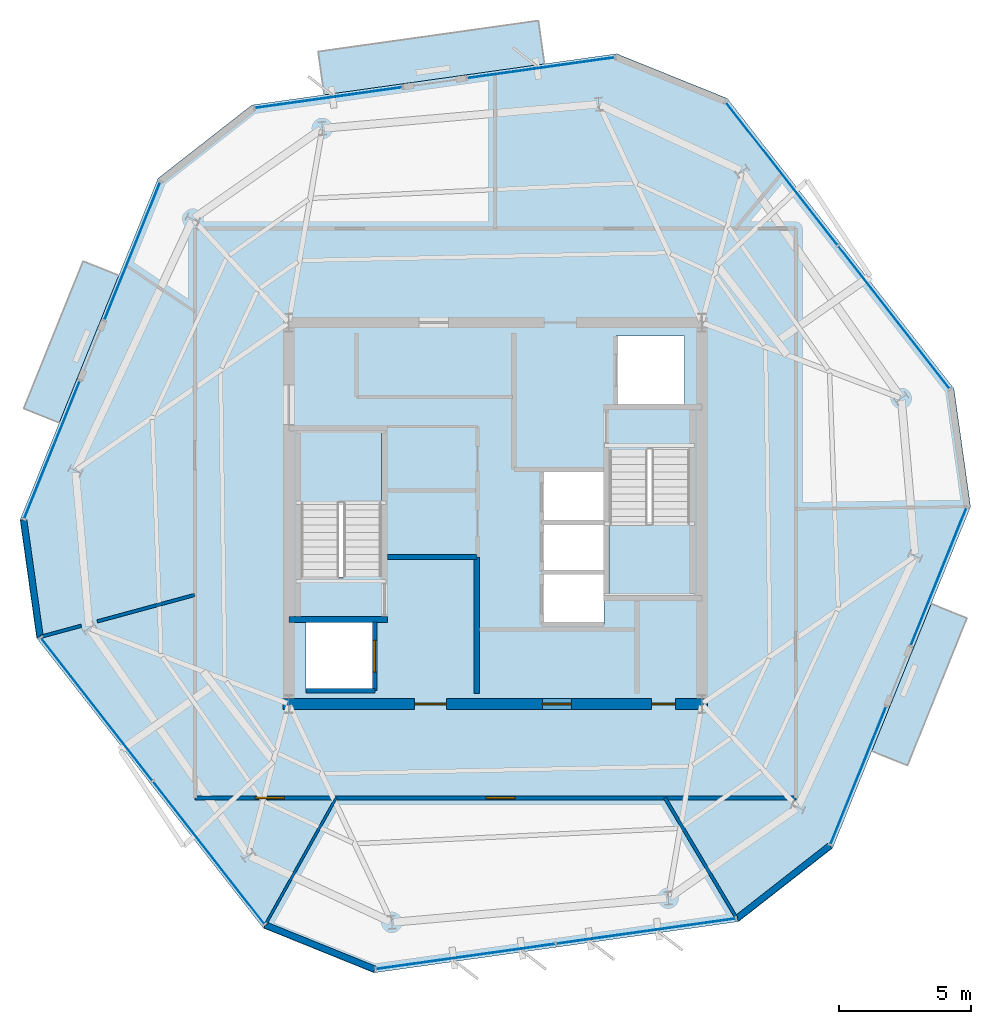
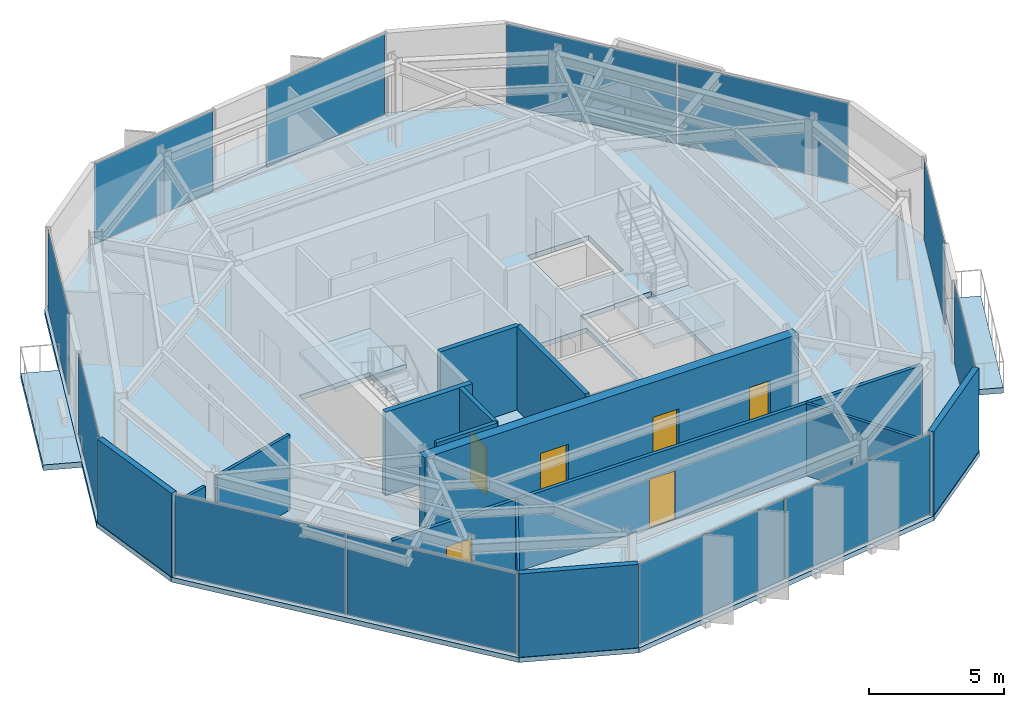
# One storey, part 6 of 11: 14 walls, 12 plates, 6 doors, 6 slabs, 6 openings, 11 elements without a shape of their own.
"""IFC4 building model written with IfcOpenShell, lengths in metres."""

from ifc_helpers import new_model, si_unit, direction, frame, frame_2d, origin, origin_2d, place, context, subcontext, project, spatial, polyline, rectangle, outline, extrude, material, layer, layer_set, type_object, element, fill, aggregate, save


model = new_model("IFC4")

# Units and contexts
model_context = context("Model", 3, precision=1e-05, world=origin(), true_north=direction((0.0, 1.0)))
body_context = subcontext(model_context, "Body", "Model", "MODEL_VIEW")
ifc_project = project(units=[si_unit("LENGTHUNIT", "METRE"), si_unit("AREAUNIT", "SQUARE_METRE"), si_unit("VOLUMEUNIT", "CUBIC_METRE"), si_unit("PLANEANGLEUNIT", "RADIAN"), si_unit("MASSUNIT", "GRAM", prefix="KILO")], contexts=[model_context])

# Site, building, storey
site_placement = place(None, origin())
site = spatial("IfcSite", under=ifc_project, at=site_placement, CompositionType="ELEMENT")
building_placement = place(site_placement, origin())
building = spatial("IfcBuilding", under=site, at=building_placement, Name="Kranzbogen Civic Tower", CompositionType="ELEMENT")
storey_placement = place(building_placement, frame((0.0, 0.0, 298.199951171875)))
storey = spatial("IfcBuildingStorey", under=building, at=storey_placement, Name="L72", CompositionType="ELEMENT", Elevation=298.199951171875)

# Slab
ifc_material_1 = material(Name="Concrete C40/50", Category="concrete")
ifc_layer_1 = layer(ifc_material_1, 0.219970703125, Name="Concrete C40/50")
ifc_layer_set_1 = layer_set([ifc_layer_1], Name="Concrete C40/50")
slab_type_1 = type_object("IfcSlabType", Name="Composite Upper Tower Floor Slab 220 mm", PredefinedType="FLOOR", material=ifc_layer_set_1)
slab_1_placement = place(storey_placement, frame((0.0, 0.0, -0.219970703125)))
element("IfcSlab", 1, at=slab_1_placement, inside=storey, type_object=slab_type_1, Name="L72 tower floor slab", PredefinedType="FLOOR", context=body_context, shape_type="SweptSolid", body=[
    extrude(outline(polyline([(29.5859375, 42.35693359375), (15.806884765625, 40.4208984375), (12.260986328125, 37.64990234375), (7.049072265625, 24.7490234375), (7.675048828125, 20.29296875), (16.241943359375, 9.3291015625), (20.4140625, 7.64306640625), (34.193115234375, 9.5791015625), (37.739013671875, 12.35009765625), (42.950927734375, 25.2509765625), (42.324951171875, 29.70703125), (33.758056640625, 40.6708984375), (29.5859375, 42.35693359375)]), holes=[polyline([(17.85009765625, 20.89990234375), (20.449951171875, 20.89990234375), (20.449951171875, 18.300048828125), (17.85009765625, 18.300048828125), (17.85009765625, 20.89990234375)]), polyline([(29.10009765625, 22.699951171875), (29.10009765625, 20.800048828125), (26.75, 20.800048828125), (26.75, 22.699951171875), (29.10009765625, 22.699951171875)]), polyline([(29.10009765625, 24.64990234375), (29.10009765625, 22.77490234375), (26.75, 22.77490234375), (26.75, 24.64990234375), (26.75, 24.675048828125), (26.75, 26.550048828125), (29.10009765625, 26.550048828125), (29.10009765625, 24.675048828125), (29.10009765625, 24.64990234375)]), polyline([(29.300048828125, 27.340087890625), (30.75, 27.340087890625), (30.75, 27.39990234375), (32.35009765625, 27.39990234375), (32.35009765625, 21.89990234375), (29.300048828125, 21.89990234375), (29.300048828125, 27.340087890625)]), polyline([(20.699951171875, 22.659912109375), (19.25, 22.659912109375), (19.25, 22.60009765625), (17.64990234375, 22.60009765625), (17.64990234375, 28.10009765625), (20.699951171875, 28.10009765625), (20.699951171875, 22.659912109375)]), polyline([(32.14990234375, 31.699951171875), (32.14990234375, 29.10009765625), (29.550048828125, 29.10009765625), (29.550048828125, 31.699951171875), (32.14990234375, 31.699951171875)])]), origin(), (0.0, 0.0, 1.0), 0.219970703125),
])

# Curtain wall, plate
ifc_material_2 = material(Name="Pale Anodised Aluminium", Category="aluminium")
ifc_layer_2 = layer(ifc_material_2, 0.219970703125, Name="Pale Anodised Aluminium")
ifc_layer_set_2 = layer_set([ifc_layer_2], Name="Pale Anodised Aluminium")
curtain_wall_type = type_object("IfcCurtainWallType", Name="Zone 4 Stick Curtain Wall System CW-05", PredefinedType="USERDEFINED", material=ifc_layer_set_2)
curtain_wall_1_placement = place(storey_placement, origin())
curtain_wall_1 = element("IfcCurtainWall", 2, at=curtain_wall_1_placement, inside=storey, type_object=curtain_wall_type, Name="L72 curtain wall CW-L72-F1-S1", ObjectType="STICK CURTAIN WALL", PredefinedType="USERDEFINED")
ifc_material_3 = material(Name="Low-E Triple Glazing Glass", Category="glass")
ifc_layer_3 = layer(ifc_material_3, 0.028076171875, Name="Low-E Triple Glazing Glass")
ifc_layer_set_3 = layer_set([ifc_layer_3], Name="Low-E Triple Glazing Glass")
plate_type = type_object("IfcPlateType", Name="Insulated Low-E Glazing Panel 28 mm", PredefinedType="CURTAIN_PANEL", material=ifc_layer_set_3)
plate_1_placement = place(storey_placement, frame((26.7265625, 41.825439453125, 0.06005859375), z_axis=(0.0, 0.0, 1.0), x_axis=(-0.990283387831, -0.139064056416, 0.0)))
plate_1 = element("IfcPlate", 3, at=plate_1_placement, type_object=plate_type, Name="CW-05 panel 1.1", PredefinedType="CURTAIN_PANEL", context=body_context, shape_type="SweptSolid", body=[
    extrude(rectangle(XDim=5.58251953125, YDim=0.028076171875, at=origin_2d()), origin(), (0.0, 0.0, 1.0), 3.659912109375),
])
aggregate(curtain_wall_1, [plate_1])

curtain_wall_2_placement = place(storey_placement, origin())
curtain_wall_2 = element("IfcCurtainWall", 4, at=curtain_wall_2_placement, inside=storey, type_object=curtain_wall_type, Name="L72 curtain wall CW-L72-F1-S2", ObjectType="STICK CURTAIN WALL", PredefinedType="USERDEFINED")
plate_2_placement = place(storey_placement, frame((18.702880859375, 40.697998046875, 0.06005859375), z_axis=(0.0, 0.0, 1.0), x_axis=(-0.990262622312, -0.139211848818, 0.0)))
plate_2 = element("IfcPlate", 5, at=plate_2_placement, type_object=plate_type, Name="CW-05 panel 1.1", PredefinedType="CURTAIN_PANEL", context=body_context, shape_type="SweptSolid", body=[
    extrude(rectangle(XDim=5.58349609375, YDim=0.028076171875, at=origin_2d()), origin(), (0.0, 0.0, 1.0), 3.659912109375),
])
aggregate(curtain_wall_2, [plate_2])

curtain_wall_3_placement = place(storey_placement, origin())
curtain_wall_3 = element("IfcCurtainWall", 6, at=curtain_wall_3_placement, inside=storey, type_object=curtain_wall_type, Name="L72 curtain wall CW-L72-F2-S1", ObjectType="STICK CURTAIN WALL", PredefinedType="USERDEFINED")
plate_3_placement = place(storey_placement, frame((11.2919921875, 34.907470703125, 0.06005859375), z_axis=(0.0, 0.0, 1.0), x_axis=(-0.374593528978, -0.927189132835, 0.0)))
plate_3 = element("IfcPlate", 7, at=plate_3_placement, type_object=plate_type, Name="CW-05 panel 1.1", PredefinedType="CURTAIN_PANEL", context=body_context, shape_type="SweptSolid", body=[
    extrude(rectangle(XDim=5.582275390625, YDim=0.028076171875, at=origin_2d()), origin(), (0.0, 0.0, 1.0), 3.659912109375),
])
aggregate(curtain_wall_3, [plate_3])

curtain_wall_4_placement = place(storey_placement, origin())
curtain_wall_4 = element("IfcCurtainWall", 8, at=curtain_wall_4_placement, inside=storey, type_object=curtain_wall_type, Name="L72 curtain wall CW-L72-F2-S2", ObjectType="STICK CURTAIN WALL", PredefinedType="USERDEFINED")
plate_4_placement = place(storey_placement, frame((8.257080078125, 27.39501953125, 0.06005859375), z_axis=(0.0, 0.0, 1.0), x_axis=(-0.374532628217, -0.927213735015, 0.0)))
plate_4 = element("IfcPlate", 9, at=plate_4_placement, type_object=plate_type, Name="CW-05 panel 1.1", PredefinedType="CURTAIN_PANEL", context=body_context, shape_type="SweptSolid", body=[
    extrude(rectangle(XDim=5.5830078125, YDim=0.028076171875, at=origin_2d()), origin(), (0.0, 0.0, 1.0), 3.659912109375),
])
aggregate(curtain_wall_4, [plate_4])

# Curtain wall, plates
curtain_wall_5_placement = place(storey_placement, origin())
curtain_wall_5 = element("IfcCurtainWall", 10, at=curtain_wall_5_placement, inside=storey, type_object=curtain_wall_type, Name="L72 curtain wall CW-L72-F3", ObjectType="STICK CURTAIN WALL", PredefinedType="USERDEFINED")
plate_5_placement = place(storey_placement, frame((9.9443359375, 17.598388671875, 0.06005859375), z_axis=(0.0, 0.0, 1.0), x_axis=(0.615679181618, -0.787996919614, 0.0)))
plate_5 = element("IfcPlate", 11, at=plate_5_placement, type_object=plate_type, Name="CW-05 panel 1.1", PredefinedType="CURTAIN_PANEL", context=body_context, shape_type="SweptSolid", body=[
    extrude(rectangle(XDim=6.81298828125, YDim=0.028076171875, at=origin_2d()), origin(), (0.0, 0.0, 1.0), 3.659912109375),
])
plate_6_placement = place(storey_placement, frame((14.17578125, 12.1826171875, 0.06005859375), z_axis=(0.0, 0.0, 1.0), x_axis=(0.615679181618, -0.787996919614, 0.0)))
plate_6 = element("IfcPlate", 12, at=plate_6_placement, type_object=plate_type, Name="CW-05 panel 2.1", PredefinedType="CURTAIN_PANEL", context=body_context, shape_type="SweptSolid", body=[
    extrude(rectangle(XDim=6.81298828125, YDim=0.028076171875, at=origin_2d()), origin(), (0.0, 0.0, 1.0), 3.659912109375),
])
aggregate(curtain_wall_5, [plate_5, plate_6])

curtain_wall_6_placement = place(storey_placement, origin())
curtain_wall_6 = element("IfcCurtainWall", 13, at=curtain_wall_6_placement, inside=storey, type_object=curtain_wall_type, Name="L72 curtain wall CW-L72-F4", ObjectType="STICK CURTAIN WALL", PredefinedType="USERDEFINED")
plate_7_placement = place(storey_placement, frame((23.882568359375, 8.26025390625, 0.06005859375), z_axis=(0.0, 0.0, 1.0), x_axis=(0.990271400303, 0.139149393608, 0.0)))
plate_7 = element("IfcPlate", 14, at=plate_7_placement, type_object=plate_type, Name="CW-05 panel 1.1", PredefinedType="CURTAIN_PANEL", context=body_context, shape_type="SweptSolid", body=[
    extrude(rectangle(XDim=6.812744140625, YDim=0.028076171875, at=origin_2d()), origin(), (0.0, 0.0, 1.0), 3.659912109375),
])
plate_8_placement = place(storey_placement, frame((30.6884765625, 9.216552734375, 0.06005859375), z_axis=(0.0, 0.0, 1.0), x_axis=(0.990271400303, 0.139149393608, 0.0)))
plate_8 = element("IfcPlate", 15, at=plate_8_placement, type_object=plate_type, Name="CW-05 panel 2.1", PredefinedType="CURTAIN_PANEL", context=body_context, shape_type="SweptSolid", body=[
    extrude(rectangle(XDim=6.812744140625, YDim=0.028076171875, at=origin_2d()), origin(), (0.0, 0.0, 1.0), 3.659912109375),
])
aggregate(curtain_wall_6, [plate_7, plate_8])

# Curtain wall, plate
curtain_wall_7_placement = place(storey_placement, origin())
curtain_wall_7 = element("IfcCurtainWall", 16, at=curtain_wall_7_placement, inside=storey, type_object=curtain_wall_type, Name="L72 curtain wall CW-L72-F5-S1", ObjectType="STICK CURTAIN WALL", PredefinedType="USERDEFINED")
plate_9_placement = place(storey_placement, frame((38.7080078125, 15.092529296875, 0.06005859375), z_axis=(0.0, 0.0, 1.0), x_axis=(0.374593528978, 0.927189132835, 0.0)))
plate_9 = element("IfcPlate", 17, at=plate_9_placement, type_object=plate_type, Name="CW-05 panel 1.1", PredefinedType="CURTAIN_PANEL", context=body_context, shape_type="SweptSolid", body=[
    extrude(rectangle(XDim=5.582275390625, YDim=0.028076171875, at=origin_2d()), origin(), (0.0, 0.0, 1.0), 3.659912109375),
])
aggregate(curtain_wall_7, [plate_9])

curtain_wall_8_placement = place(storey_placement, origin())
curtain_wall_8 = element("IfcCurtainWall", 18, at=curtain_wall_8_placement, inside=storey, type_object=curtain_wall_type, Name="L72 curtain wall CW-L72-F5-S2", ObjectType="STICK CURTAIN WALL", PredefinedType="USERDEFINED")
plate_10_placement = place(storey_placement, frame((41.742919921875, 22.60498046875, 0.06005859375), z_axis=(0.0, 0.0, 1.0), x_axis=(0.374532628217, 0.927213735015, 0.0)))
plate_10 = element("IfcPlate", 19, at=plate_10_placement, type_object=plate_type, Name="CW-05 panel 1.1", PredefinedType="CURTAIN_PANEL", context=body_context, shape_type="SweptSolid", body=[
    extrude(rectangle(XDim=5.5830078125, YDim=0.028076171875, at=origin_2d()), origin(), (0.0, 0.0, 1.0), 3.659912109375),
])
aggregate(curtain_wall_8, [plate_10])

# Curtain wall, plates
curtain_wall_9_placement = place(storey_placement, origin())
curtain_wall_9 = element("IfcCurtainWall", 20, at=curtain_wall_9_placement, inside=storey, type_object=curtain_wall_type, Name="L72 curtain wall CW-L72-F6", ObjectType="STICK CURTAIN WALL", PredefinedType="USERDEFINED")
plate_11_placement = place(storey_placement, frame((40.0556640625, 32.401611328125, 0.06005859375), z_axis=(0.0, 0.0, 1.0), x_axis=(-0.615679181618, 0.787996919614, 0.0)))
plate_11 = element("IfcPlate", 21, at=plate_11_placement, type_object=plate_type, Name="CW-05 panel 1.1", PredefinedType="CURTAIN_PANEL", context=body_context, shape_type="SweptSolid", body=[
    extrude(rectangle(XDim=6.81298828125, YDim=0.028076171875, at=origin_2d()), origin(), (0.0, 0.0, 1.0), 3.659912109375),
])
plate_12_placement = place(storey_placement, frame((35.82421875, 37.8173828125, 0.06005859375), z_axis=(0.0, 0.0, 1.0), x_axis=(-0.615679181618, 0.787996919614, 0.0)))
plate_12 = element("IfcPlate", 22, at=plate_12_placement, type_object=plate_type, Name="CW-05 panel 2.1", PredefinedType="CURTAIN_PANEL", context=body_context, shape_type="SweptSolid", body=[
    extrude(rectangle(XDim=6.81298828125, YDim=0.028076171875, at=origin_2d()), origin(), (0.0, 0.0, 1.0), 3.659912109375),
])
aggregate(curtain_wall_9, [plate_11, plate_12])

# Stair, slab
ifc_material_4 = material(Name="Precast concrete C40/50", Category="concrete")
stair_type_1 = type_object("IfcStairType", Name="Tower Core Pressurized Dogleg Stair 1450", PredefinedType="HALF_TURN_STAIR", material=ifc_material_4)
stair_1_placement = place(storey_placement, origin())
stair_1 = element("IfcStair", 23, at=stair_1_placement, inside=storey, type_object=stair_type_1, Name="L72 Tower Core Pressurized Stair 1", PredefinedType="HALF_TURN_STAIR")
ifc_layer_4 = layer(ifc_material_4, 0.199951171875, Name="Precast concrete C40/50")
ifc_layer_set_4 = layer_set([ifc_layer_4], Name="Precast concrete C40/50")
slab_type_2 = type_object("IfcSlabType", Name="Precast Concrete Stair Landing Slab 200 mm", PredefinedType="LANDING", material=ifc_layer_set_4)
slab_2_placement = place(storey_placement, frame((0.0, 0.0, 1.800048828125)))
slab_2 = element("IfcSlab", 24, at=slab_2_placement, type_object=slab_type_2, Name="ST-T1 landing 1", PredefinedType="LANDING", context=body_context, shape_type="SweptSolid", body=[
    extrude(outline(polyline([(20.699951171875, 25.39990234375), (20.699951171875, 28.10009765625), (17.64990234375, 28.10009765625), (17.64990234375, 25.39990234375), (20.699951171875, 25.39990234375)])), origin(), (0.0, 0.0, 1.0), 0.199951171875),
])
aggregate(stair_1, [slab_2])

stair_type_2 = type_object("IfcStairType", Name="Tower Core Secondary Dogleg Stair 1450", PredefinedType="HALF_TURN_STAIR", material=ifc_material_4)
stair_2_placement = place(storey_placement, origin())
stair_2 = element("IfcStair", 25, at=stair_2_placement, inside=storey, type_object=stair_type_2, Name="L72 Tower Core Pressurized Stair 2", PredefinedType="HALF_TURN_STAIR")
slab_3_placement = place(storey_placement, frame((0.0, 0.0, 1.800048828125)))
slab_3 = element("IfcSlab", 26, at=slab_3_placement, type_object=slab_type_2, Name="ST-T2 landing 1", PredefinedType="LANDING", context=body_context, shape_type="SweptSolid", body=[
    extrude(outline(polyline([(29.300048828125, 24.60009765625), (29.300048828125, 21.89990234375), (32.35009765625, 21.89990234375), (32.35009765625, 24.60009765625), (29.300048828125, 24.60009765625)])), origin(), (0.0, 0.0, 1.0), 0.199951171875),
])
aggregate(stair_2, [slab_3])

# Slabs
ifc_layer_5 = layer(ifc_material_1, 0.280029296875, Name="Concrete C40/50")
ifc_layer_set_5 = layer_set([ifc_layer_5], Name="Concrete C40/50")
slab_type_3 = type_object("IfcSlabType", Name="Spiral Terrace Cantilevered Slab 280 mm", PredefinedType="FLOOR", material=ifc_layer_set_5)
slab_4_placement = place(storey_placement, frame((0.0, 0.0, -0.280029296875)))
element("IfcSlab", 27, at=slab_4_placement, inside=storey, type_object=slab_type_3, Name="L72 cantilevered spiral terrace L72-ST", PredefinedType="FLOOR", context=body_context, shape_type="SweptSolid", body=[
    extrude(outline(polyline([(26.85595703125, 41.972900390625), (18.5380859375, 40.803955078125), (18.30810546875, 42.43798828125), (26.6259765625, 43.60693359375), (26.85595703125, 41.972900390625)])), origin(), (0.0, 0.0, 1.0), 0.280029296875),
])
ifc_layer_6 = layer(ifc_material_1, 0.25, Name="Concrete C40/50")
ifc_layer_set_6 = layer_set([ifc_layer_6], Name="Concrete C40/50")
slab_type_4 = type_object("IfcSlabType", Name="Tree Balcony Cantilevered Slab 250 mm", PredefinedType="FLOOR", material=ifc_layer_set_6)
slab_5_placement = place(storey_placement, frame((0.0, 0.0, -0.25)))
element("IfcSlab", 28, at=slab_5_placement, inside=storey, type_object=slab_type_4, Name="L72 cantilevered tree balcony L72-TB1", PredefinedType="FLOOR", context=body_context, shape_type="SweptSolid", body=[
    extrude(outline(polyline([(39.220947265625, 16.01904296875), (41.468994140625, 21.58203125), (42.81298828125, 21.0390625), (40.56494140625, 15.47607421875), (39.220947265625, 16.01904296875)])), origin(), (0.0, 0.0, 1.0), 0.25),
])
slab_6_placement = place(storey_placement, frame((0.0, 0.0, -0.25)))
element("IfcSlab", 29, at=slab_6_placement, inside=storey, type_object=slab_type_4, Name="L72 cantilevered tree balcony L72-TB2", PredefinedType="FLOOR", context=body_context, shape_type="SweptSolid", body=[
    extrude(outline(polyline([(10.779052734375, 33.98095703125), (8.531005859375, 28.41796875), (7.18701171875, 28.9609375), (9.43505859375, 34.52392578125), (10.779052734375, 33.98095703125)])), origin(), (0.0, 0.0, 1.0), 0.25),
])

# Wall, openings, doors
ifc_material_5 = material(Name="Double-Stud Acoustic Gypsum Partition")
ifc_layer_7 = layer(ifc_material_5, 0.14990234375, Name="Double-Stud Acoustic Gypsum Partition")
ifc_layer_set_7 = layer_set([ifc_layer_7], Name="Double-Stud Acoustic Gypsum Partition")
wall_type_1 = type_object("IfcWallType", Name="Acoustic Corridor and Clinical Partition 150 mm", PredefinedType="PARTITIONING", material=ifc_layer_set_7)
wall_1_placement = place(storey_placement, frame((36.35009765625, 14.25, 0.0), z_axis=(0.0, 0.0, 1.0), x_axis=(-1.0, 0.0, 0.0)))
wall_1 = element("IfcWall", 30, at=wall_1_placement, inside=storey, type_object=wall_type_1, Name="L72 corridor partition 03", PredefinedType="PARTITIONING", context=body_context, shape_type="SweptSolid", body=[
    extrude(rectangle(XDim=22.7001953125, YDim=0.14990234375, at=frame_2d((11.35009765625, 0.0))), origin(), (0.0, 0.0, 1.0), 3.280029296875),
])
opening_1_placement = place(wall_1_placement, frame((19.318115234375, 0.0, 0.0)))
opening_1 = element("IfcOpeningElement", 31, at=opening_1_placement, cuts=wall_1, Name="Opening D-COR60", PredefinedType="OPENING", context=body_context, shape_type="SweptSolid", body=[
    extrude(rectangle(XDim=1.10009765625, YDim=2.199951171875, at=frame_2d((0.550048828125, 1.10009765625))), frame((0.0, 0.0849609375, 0.0), z_axis=(0.0, -1.0, 0.0), x_axis=(1.0, 0.0, 0.0)), (0.0, 0.0, 1.0), 0.169921875),
])
opening_2_placement = place(wall_1_placement, frame((10.597900390625, 0.0, 0.0)))
opening_2 = element("IfcOpeningElement", 32, at=opening_2_placement, cuts=wall_1, Name="Opening D-COR60", PredefinedType="OPENING", context=body_context, shape_type="SweptSolid", body=[
    extrude(rectangle(XDim=1.10009765625, YDim=2.199951171875, at=frame_2d((0.550048828125, 1.10009765625))), frame((0.0, 0.0849609375, 0.0), z_axis=(0.0, -1.0, 0.0), x_axis=(1.0, 0.0, 0.0)), (0.0, 0.0, 1.0), 0.169921875),
])
ifc_material_6 = material(Name="Oak Timber and Fire Core", Category="wood")
door_type_1 = type_object("IfcDoorType", Name="Corridor Acoustic Fire Door 1100x2200", OperationType="NOTDEFINED", PredefinedType="DOOR", material=ifc_material_6)
door_1_placement = place(opening_1_placement, origin())
door_1 = element("IfcDoor", 33, at=door_1_placement, inside=storey, type_object=door_type_1, Name="L72 Public Delegation Reception door", OperationType="SINGLE_SWING_RIGHT", OverallHeight=2.199951171875, OverallWidth=1.10009765625, PredefinedType="DOOR", context=body_context, shape_type="SweptSolid", body=[
    extrude(rectangle(XDim=1.10009765625, YDim=2.199951171875, at=frame_2d((0.550048828125, 1.10009765625))), frame((0.0, 0.02490234375, 0.0), z_axis=(0.0, -1.0, 0.0), x_axis=(1.0, 0.0, 0.0)), (0.0, 0.0, 1.0), 0.050048828125),
])
fill(opening_1, door_1)
door_2_placement = place(opening_2_placement, origin())
door_2 = element("IfcDoor", 34, at=door_2_placement, inside=storey, type_object=door_type_1, Name="L72 Visitor Concierge Foyer door", OperationType="SINGLE_SWING_LEFT", OverallHeight=2.199951171875, OverallWidth=1.10009765625, PredefinedType="DOOR", context=body_context, shape_type="SweptSolid", body=[
    extrude(rectangle(XDim=1.10009765625, YDim=2.199951171875, at=frame_2d((0.550048828125, 1.10009765625))), frame((0.0, 0.02490234375, 0.0), z_axis=(0.0, -1.0, 0.0), x_axis=(1.0, 0.0, 0.0)), (0.0, 0.0, 1.0), 0.050048828125),
])
fill(opening_2, door_2)

# Walls
ifc_material_7 = material(Name="Insulated Metal-Stud Gypsum Partition")
ifc_layer_8 = layer(ifc_material_7, 0.125, Name="Insulated Metal-Stud Gypsum Partition")
ifc_layer_set_8 = layer_set([ifc_layer_8], Name="Insulated Metal-Stud Gypsum Partition")
wall_type_2 = type_object("IfcWallType", Name="Acoustic Inter-Room Partition 125 mm", PredefinedType="PARTITIONING", material=ifc_layer_set_8)
wall_2_placement = place(storey_placement, frame((13.64990234375, 21.916015625, 0.0), z_axis=(0.0, 0.0, 1.0), x_axis=(-0.96503943316, -0.262104735642, 0.0)))
element("IfcWall", 35, at=wall_2_placement, inside=storey, type_object=wall_type_2, Name="L72 radial room partition 03 part 1", PredefinedType="PARTITIONING", context=body_context, shape_type="SweptSolid", body=[
    extrude(rectangle(XDim=3.815185546875, YDim=0.125, at=frame_2d((1.90771484375, 0.0))), origin(), (0.0, 0.0, 1.0), 3.420166015625),
])
wall_3_placement = place(storey_placement, frame((9.364013671875, 20.751953125, 0.0), z_axis=(0.0, 0.0, 1.0), x_axis=(-0.964961614491, -0.262391087041, 0.0)))
element("IfcWall", 36, at=wall_3_placement, inside=storey, type_object=wall_type_2, Name="L72 radial room partition 03 part 2", PredefinedType="PARTITIONING", context=body_context, shape_type="SweptSolid", body=[
    extrude(rectangle(XDim=1.593017578125, YDim=0.125, at=frame_2d((0.79638671875, 0.0))), origin(), (0.0, 0.0, 1.0), 3.280029296875),
])
wall_4_placement = place(storey_placement, frame((31.407958984375, 14.25, 0.0), z_axis=(0.0, 0.0, 1.0), x_axis=(0.512066510175, -0.858945801059, 0.0)))
element("IfcWall", 37, at=wall_4_placement, inside=storey, type_object=wall_type_2, Name="L72 radial room partition 05", PredefinedType="PARTITIONING", context=body_context, shape_type="SweptSolid", body=[
    extrude(rectangle(XDim=5.28076171875, YDim=0.125, at=frame_2d((2.640380859375, 0.0))), origin(), (0.0, 0.0, 1.0), 3.280029296875),
])

# Wall, openings, doors
ifc_material_8 = material(Name="Concrete C45/55", Category="concrete")
ifc_layer_9 = layer(ifc_material_8, 0.419921875, Name="Concrete C45/55")
ifc_layer_set_9 = layer_set([ifc_layer_9], Name="Concrete C45/55")
wall_type_3 = type_object("IfcWallType", Name="Central Core Shear Wall 420 mm", PredefinedType="SHEAR", material=ifc_layer_set_9)
wall_5_placement = place(storey_placement, frame((16.989990234375, 17.800048828125, 0.0), z_axis=(0.0, 0.0, 1.0), x_axis=(1.0, 0.0, 0.0)))
wall_5 = element("IfcWall", 38, at=wall_5_placement, inside=storey, type_object=wall_type_3, Name="L72 central core South shear wall", PredefinedType="SHEAR", context=body_context, shape_type="SweptSolid", body=[
    extrude(rectangle(XDim=16.02001953125, YDim=0.419921875, at=frame_2d((8.010009765625, 0.0))), origin(), (0.0, 0.0, 1.0), 3.780029296875),
])
opening_3_placement = place(wall_5_placement, frame((4.9599609375, 0.0, 0.0)))
opening_3 = element("IfcOpeningElement", 39, at=opening_3_placement, cuts=wall_5, Name="Opening D-EX120", PredefinedType="OPENING", context=body_context, shape_type="SweptSolid", body=[
    extrude(rectangle(XDim=1.199951171875, YDim=2.25, at=frame_2d((0.60009765625, 1.125))), frame((0.0, 0.219970703125, 0.0), z_axis=(0.0, -1.0, 0.0), x_axis=(1.0, 0.0, 0.0)), (0.0, 0.0, 1.0), 0.43994140625),
])
opening_4_placement = place(wall_5_placement, frame((13.909912109375, 0.0, 0.0)))
opening_4 = element("IfcOpeningElement", 40, at=opening_4_placement, cuts=wall_5, Name="Opening D-WC90", PredefinedType="OPENING", context=body_context, shape_type="SweptSolid", body=[
    extrude(rectangle(XDim=0.89990234375, YDim=2.10009765625, at=frame_2d((0.449951171875, 1.050048828125))), frame((0.0, 0.219970703125, 0.0), z_axis=(0.0, -1.0, 0.0), x_axis=(1.0, 0.0, 0.0)), (0.0, 0.0, 1.0), 0.43994140625),
])
opening_5_placement = place(wall_5_placement, frame((9.784912109375, 0.0, 0.0)))
opening_5 = element("IfcOpeningElement", 41, at=opening_5_placement, cuts=wall_5, Name="Opening D-COR60", PredefinedType="OPENING", context=body_context, shape_type="SweptSolid", body=[
    extrude(rectangle(XDim=1.10009765625, YDim=2.199951171875, at=frame_2d((0.550048828125, 1.10009765625))), frame((0.0, 0.219970703125, 0.0), z_axis=(0.0, -1.0, 0.0), x_axis=(1.0, 0.0, 0.0)), (0.0, 0.0, 1.0), 0.43994140625),
])
door_3_placement = place(opening_5_placement, origin())
door_3 = element("IfcDoor", 42, at=door_3_placement, inside=storey, type_object=door_type_1, Name="L72 REC1 archive room door", OperationType="SINGLE_SWING_RIGHT", OverallHeight=2.199951171875, OverallWidth=1.10009765625, PredefinedType="DOOR", context=body_context, shape_type="SweptSolid", body=[
    extrude(rectangle(XDim=1.10009765625, YDim=2.199951171875, at=frame_2d((0.550048828125, 1.10009765625))), frame((0.0, 0.02490234375, 0.0), z_axis=(0.0, -1.0, 0.0), x_axis=(1.0, 0.0, 0.0)), (0.0, 0.0, 1.0), 0.050048828125),
])
fill(opening_5, door_3)
ifc_material_9 = material(Name="Steel S355", Category="steel")
door_type_2 = type_object("IfcDoorType", Name="Exit Passageway Fire Door 1200x2250", OperationType="NOTDEFINED", PredefinedType="DOOR", material=ifc_material_9)
door_4_placement = place(opening_3_placement, origin())
door_4 = element("IfcDoor", 43, at=door_4_placement, inside=storey, type_object=door_type_2, Name="L72 West firefighting lobby corridor door", OperationType="SINGLE_SWING_LEFT", OverallHeight=2.25, OverallWidth=1.199951171875, PredefinedType="DOOR", context=body_context, shape_type="SweptSolid", body=[
    extrude(rectangle(XDim=1.199951171875, YDim=2.25, at=frame_2d((0.60009765625, 1.125))), frame((0.0, 0.02490234375, 0.0), z_axis=(0.0, -1.0, 0.0), x_axis=(1.0, 0.0, 0.0)), (0.0, 0.0, 1.0), 0.050048828125),
])
fill(opening_3, door_4)
ifc_material_10 = material(Name="Moisture-Resistant Laminate")
door_type_3 = type_object("IfcDoorType", Name="Standard Restroom and Store Door 900x2100", OperationType="NOTDEFINED", PredefinedType="DOOR", material=ifc_material_10)
door_5_placement = place(opening_4_placement, origin())
door_5 = element("IfcDoor", 44, at=door_5_placement, inside=storey, type_object=door_type_3, Name="L72 East electrical riser access door", OperationType="SINGLE_SWING_LEFT", OverallHeight=2.10009765625, OverallWidth=0.89990234375, PredefinedType="DOOR", context=body_context, shape_type="SweptSolid", body=[
    extrude(rectangle(XDim=0.89990234375, YDim=2.10009765625, at=frame_2d((0.449951171875, 1.050048828125))), frame((0.0, 0.02490234375, 0.0), z_axis=(0.0, -1.0, 0.0), x_axis=(1.0, 0.0, 0.0)), (0.0, 0.0, 1.0), 0.050048828125),
])
fill(opening_4, door_5)

# Walls
ifc_layer_10 = layer(ifc_material_8, 0.219970703125, Name="Concrete C45/55")
ifc_layer_set_10 = layer_set([ifc_layer_10], Name="Concrete C45/55")
wall_type_4 = type_object("IfcWallType", Name="Core Internal Stair Structural Wall 220 mm", PredefinedType="SOLIDWALL", material=ifc_layer_set_10)
wall_6_placement = place(storey_placement, frame((17.199951171875, 20.989990234375, 0.0), z_axis=(0.0, 0.0, 1.0), x_axis=(1.0, 0.0, 0.0)))
element("IfcWall", 45, at=wall_6_placement, inside=storey, type_object=wall_type_4, Name="L72 ST-T1 South structural stair wall", PredefinedType="SOLIDWALL", context=body_context, shape_type="SweptSolid", body=[
    extrude(rectangle(XDim=3.719970703125, YDim=0.219970703125, at=frame_2d((1.85986328125, 0.0))), origin(), (0.0, 0.0, 1.0), 3.780029296875),
])
ifc_material_11 = material(Name="Demountable Aluminium and Gypsum Partition", Category="aluminium")
ifc_layer_11 = layer(ifc_material_11, 0.10009765625, Name="Demountable Aluminium and Gypsum Partition")
ifc_layer_set_11 = layer_set([ifc_layer_11], Name="Demountable Aluminium and Gypsum Partition")
wall_type_5 = type_object("IfcWallType", Name="Demountable Office Partition 100 mm", PredefinedType="MOVABLE", material=ifc_layer_set_11)
wall_7_placement = place(storey_placement, frame((18.991943359375, 14.25, 0.0), z_axis=(0.0, 0.0, 1.0), x_axis=(-0.487748464392, -0.87298421262, 0.0)))
element("IfcWall", 46, at=wall_7_placement, inside=storey, type_object=wall_type_5, Name="L72 radial room partition 04", PredefinedType="MOVABLE", context=body_context, shape_type="SweptSolid", body=[
    extrude(rectangle(XDim=5.47998046875, YDim=0.10009765625, at=frame_2d((2.739990234375, 0.0))), origin(), (0.0, 0.0, 1.0), 3.280029296875),
])
ifc_material_12 = material(Name="Gypsum Fireboard and Concrete Block", Category="concrete")
ifc_layer_12 = layer(ifc_material_12, 0.199951171875, Name="Gypsum Fireboard and Concrete Block")
ifc_layer_set_12 = layer_set([ifc_layer_12], Name="Gypsum Fireboard and Concrete Block")
wall_type_6 = type_object("IfcWallType", Name="Fire-Rated Exit Passageway and Stair Wall 200 mm", PredefinedType="PARTITIONING", material=ifc_layer_set_12)
wall_8_placement = place(storey_placement, frame((24.300048828125, 18.199951171875, 0.0), z_axis=(0.0, 0.0, 1.0), x_axis=(0.0, 1.0, 0.0)))
element("IfcWall", 47, at=wall_8_placement, inside=storey, type_object=wall_type_6, Name="L72 West firefighting lobby East wall", PredefinedType="PARTITIONING", context=body_context, shape_type="SweptSolid", body=[
    extrude(rectangle(XDim=5.150146484375, YDim=0.199951171875, at=frame_2d((2.5751953125, 0.0))), origin(), (0.0, 0.0, 1.0), 3.780029296875),
])
wall_9_placement = place(storey_placement, frame((20.919921875, 23.35009765625, 0.0), z_axis=(0.0, 0.0, 1.0), x_axis=(1.0, 0.0, 0.0)))
element("IfcWall", 48, at=wall_9_placement, inside=storey, type_object=wall_type_6, Name="L72 West firefighting lobby North wall", PredefinedType="PARTITIONING", context=body_context, shape_type="SweptSolid", body=[
    extrude(rectangle(XDim=3.380126953125, YDim=0.199951171875, at=frame_2d((1.68994140625, 0.0))), origin(), (0.0, 0.0, 1.0), 3.780029296875),
])

# Wall, opening, door
ifc_material_13 = material(Name="Gypsum Fireboard Shaftliner")
ifc_layer_13 = layer(ifc_material_13, 0.175048828125, Name="Gypsum Fireboard Shaftliner")
ifc_layer_set_13 = layer_set([ifc_layer_13], Name="Gypsum Fireboard Shaftliner")
wall_type_7 = type_object("IfcWallType", Name="Fire-Rated Lift and Service Shaft Wall 175 mm", PredefinedType="PARTITIONING", material=ifc_layer_set_13)
wall_10_placement = place(storey_placement, frame((20.449951171875, 18.300048828125, 0.0), z_axis=(0.0, 0.0, 1.0), x_axis=(0.0, 1.0, 0.0)))
wall_10 = element("IfcWall", 49, at=wall_10_placement, inside=storey, type_object=wall_type_7, Name="L72 lift FF-01 landing wall", PredefinedType="PARTITIONING", context=body_context, shape_type="SweptSolid", body=[
    extrude(rectangle(XDim=2.599853515625, YDim=0.175048828125, at=frame_2d((1.2998046875, 0.0))), origin(), (0.0, 0.0, 1.0), 3.780029296875),
])
opening_6_placement = place(wall_10_placement, frame((0.699951171875, 0.0, 0.0)))
opening_6 = element("IfcOpeningElement", 50, at=opening_6_placement, cuts=wall_10, Name="Opening LD-FF-01", PredefinedType="OPENING", context=body_context, shape_type="SweptSolid", body=[
    extrude(rectangle(XDim=1.199951171875, YDim=2.199951171875, at=frame_2d((0.60009765625, 1.10009765625))), frame((0.0, 0.09765625, 0.0), z_axis=(0.0, -1.0, 0.0), x_axis=(1.0, 0.0, 0.0)), (0.0, 0.0, 1.0), 0.195068359375),
])
door_type_4 = type_object("IfcDoorType", Name="Firefighting and Stretcher Lift Sliding Landing Door 1200x2200", OperationType="DOUBLE_DOOR_SLIDING", PredefinedType="DOOR", material=ifc_material_2)
door_6_placement = place(opening_6_placement, origin())
door_6 = element("IfcDoor", 51, at=door_6_placement, inside=storey, type_object=door_type_4, Name="L72 lift FF-01 sliding landing door", OperationType="DOUBLE_DOOR_SLIDING", OverallHeight=2.199951171875, OverallWidth=1.199951171875, PredefinedType="DOOR", context=body_context, shape_type="SweptSolid", body=[
    extrude(rectangle(XDim=1.199951171875, YDim=2.199951171875, at=frame_2d((0.60009765625, 1.10009765625))), frame((0.0, 0.02490234375, 0.0), z_axis=(0.0, -1.0, 0.0), x_axis=(1.0, 0.0, 0.0)), (0.0, 0.0, 1.0), 0.050048828125),
])
fill(opening_6, door_6)

# Walls
wall_11_placement = place(storey_placement, frame((17.85009765625, 18.300048828125, 0.0), z_axis=(0.0, 0.0, 1.0), x_axis=(1.0, 0.0, 0.0)))
element("IfcWall", 52, at=wall_11_placement, inside=storey, type_object=wall_type_7, Name="L72 lift FF-01 side wall", PredefinedType="PARTITIONING", context=body_context, shape_type="SweptSolid", body=[
    extrude(rectangle(XDim=2.599853515625, YDim=0.175048828125, at=frame_2d((1.2998046875, 0.0))), origin(), (0.0, 0.0, 1.0), 3.780029296875),
])
ifc_layer_14 = layer(ifc_material_2, 0.239990234375, Name="Pale Anodised Aluminium")
ifc_layer_set_14 = layer_set([ifc_layer_14], Name="Pale Anodised Aluminium")
wall_type_8 = type_object("IfcWallType", Name="Insulated Aluminium Facade Portal Wall 240 mm", PredefinedType="STANDARD", material=ifc_layer_set_14)
wall_12_placement = place(storey_placement, frame((7.18896484375, 24.7509765625, 0.0), z_axis=(0.0, 0.0, 1.0), x_axis=(0.139124115192, -0.990274952007, 0.0)))
element("IfcWall", 53, at=wall_12_placement, inside=storey, type_object=wall_type_8, Name="L72 chamfered corner facade spandrel 2", PredefinedType="STANDARD", context=body_context, shape_type="SweptSolid", body=[
    extrude(rectangle(XDim=4.46435546875, YDim=0.239990234375, at=frame_2d((2.232177734375, 0.0))), origin(), (0.0, 0.0, 1.0), 3.780029296875),
])
wall_13_placement = place(storey_placement, frame((16.31005859375, 9.450927734375, 0.0), z_axis=(0.0, 0.0, 1.0), x_axis=(0.927166243324, -0.374650179823, 0.0)))
element("IfcWall", 54, at=wall_13_placement, inside=storey, type_object=wall_type_8, Name="L72 chamfered corner facade spandrel 3", PredefinedType="STANDARD", context=body_context, shape_type="SweptSolid", body=[
    extrude(rectangle(XDim=4.465087890625, YDim=0.239990234375, at=frame_2d((2.232421875, 0.0))), origin(), (0.0, 0.0, 1.0), 3.780029296875),
])
wall_14_placement = place(storey_placement, frame((34.12109375, 9.698974609375, 0.0), z_axis=(0.0, 0.0, 1.0), x_axis=(0.78792242083, 0.615774519408, 0.0)))
element("IfcWall", 55, at=wall_14_placement, inside=storey, type_object=wall_type_8, Name="L72 chamfered corner facade spandrel 4", PredefinedType="STANDARD", context=body_context, shape_type="SweptSolid", body=[
    extrude(rectangle(XDim=4.4658203125, YDim=0.239990234375, at=frame_2d((2.23291015625, 0.0))), origin(), (0.0, 0.0, 1.0), 3.780029296875),
])

save(model, "model.ifc")
